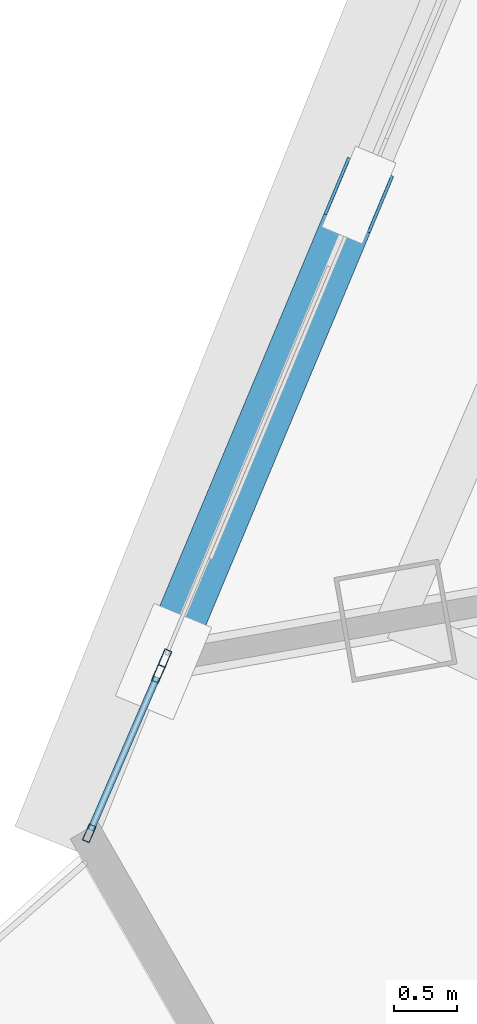
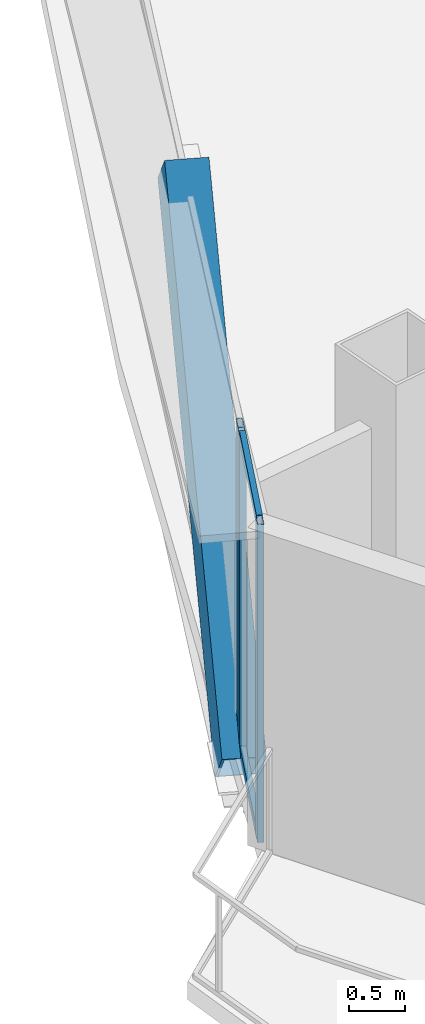
# One storey, part 4 of 37: 6 members, 2 elements without a shape of their own.
"""IFC4 building model written with IfcOpenShell, lengths in metres."""

from ifc_helpers import new_model, si_unit, direction, frame, origin, origin_2d, place, context, subcontext, project, spatial, hollow_rectangle, extrude, source, transform, mapped, material, layer, layer_set, material_profile, profile_set, type_object, element, aggregate, save


model = new_model("IFC4")

# Units and contexts
model_context = context("Model", 3, precision=1e-05, world=origin(), true_north=direction((0.0, 1.0)))
body_context = subcontext(model_context, "Body", "Model", "MODEL_VIEW")
ifc_project = project(units=[si_unit("LENGTHUNIT", "METRE"), si_unit("AREAUNIT", "SQUARE_METRE"), si_unit("VOLUMEUNIT", "CUBIC_METRE"), si_unit("PLANEANGLEUNIT", "RADIAN"), si_unit("MASSUNIT", "GRAM", prefix="KILO"), si_unit("THERMODYNAMICTEMPERATUREUNIT", "KELVIN"), si_unit("POWERUNIT", "WATT")], contexts=[model_context])

# Site, building, storey
site_placement = place(None, origin())
site = spatial("IfcSite", under=ifc_project, at=site_placement, CompositionType="ELEMENT")
building_placement = place(site_placement, origin())
building = spatial("IfcBuilding", under=site, at=building_placement, Name="Yunzhuo Pagoda Commons", CompositionType="ELEMENT")
storey_placement = place(building_placement, frame((0.0, 0.0, 255.719970703125)))
storey = spatial("IfcBuildingStorey", under=building, at=storey_placement, Name="L64", CompositionType="ELEMENT", Elevation=255.719970703125)

# Member
ifc_material_1 = material(Name="Structural steel Q355B", Category="steel")
ifc_material_profile_1 = material_profile(ifc_material_1, hollow_rectangle(XDim=0.39990234375, YDim=0.719970703125, WallThickness=0.02392578125, at=origin_2d()), Name="Structural steel Q355B")
ifc_profile_set_1 = profile_set([ifc_material_profile_1], Name="Structural steel Q355B")
member_type_1 = type_object("IfcMemberType", Name="M-DL2 Brace BOX 720x400x24", PredefinedType="BRACE", material=ifc_profile_set_1)
shared_shape_1 = source(origin(), body_context, "Body", "SweptSolid", [
    extrude(hollow_rectangle(XDim=0.39990234375, YDim=0.719970703125, WallThickness=0.02392578125, at=origin_2d()), origin(), (0.0, 0.0, 1.0), 5.498779296875),
])
member_1_placement = place(storey_placement, frame((14.2138671875, 27.74267578125, -0.260009765625), z_axis=(0.283714437249, 0.677762266761, 0.678339463581), x_axis=(-0.922440988301, 0.386138088126, 0.0)))
element("IfcMember", 1, at=member_1_placement, inside=storey, type_object=member_type_1, Name="L64 facade diamond brace F3.3R", PredefinedType="BRACE", context=body_context, shape_type="MappedRepresentation", body=[
    mapped(shared_shape_1, transform((0.0, 0.0, 0.0), scale=1.0)),
])

# Curtain wall, member
ifc_material_2 = material(Name="Anodized aluminium 6063-T6", Category="aluminium")
ifc_layer = layer(ifc_material_2, 0.139892578125)
ifc_layer_set = layer_set([ifc_layer], Name="Anodized aluminium 6063-T6")
curtain_wall_type = type_object("IfcCurtainWallType", Name="CW-HI High-Zone Ribbon Curtain Wall", PredefinedType="NOTDEFINED", material=ifc_layer_set)
curtain_wall_1_placement = place(storey_placement, origin())
curtain_wall_1 = element("IfcCurtainWall", 2, at=curtain_wall_1_placement, inside=storey, type_object=curtain_wall_type, Name="L64 curtain wall CW-L64-F3B4", PredefinedType="NOTDEFINED")
ifc_material_profile_2 = material_profile(ifc_material_2, hollow_rectangle(XDim=0.06005859375, YDim=0.139892578125, WallThickness=0.00341796875, at=origin_2d()), Name="Anodized aluminium 6063-T6")
ifc_profile_set_2 = profile_set([ifc_material_profile_2], Name="Anodized aluminium 6063-T6")
member_type_2 = type_object("IfcMemberType", Name="CW-HI-M Mullion RHS 140x60x3.5", PredefinedType="MULLION", material=ifc_profile_set_2)
shared_shape_2 = source(origin(), body_context, "Body", "SweptSolid", [
    extrude(hollow_rectangle(XDim=0.06005859375, YDim=0.139892578125, WallThickness=0.00341796875, at=origin_2d()), origin(), (0.0, 0.0, 1.0), 3.469970703125),
])
member_2_placement = place(storey_placement, frame((14.2255859375, 27.770263671875, 0.0), z_axis=(0.0, 0.0, 1.0), x_axis=(0.922450521644, -0.38611531324, 0.0)))
member_2 = element("IfcMember", 3, at=member_2_placement, type_object=member_type_2, Name="CW mullion 2", PredefinedType="MULLION", context=body_context, shape_type="MappedRepresentation", body=[
    mapped(shared_shape_2, transform((0.0, 0.0, 0.0), scale=1.0)),
])
aggregate(curtain_wall_1, [member_2])

# Curtain wall, members
curtain_wall_2_placement = place(storey_placement, origin())
curtain_wall_2 = element("IfcCurtainWall", 4, at=curtain_wall_2_placement, inside=storey, type_object=curtain_wall_type, Name="L64 curtain wall CW-L64-F3B5", PredefinedType="NOTDEFINED")
member_3_placement = place(storey_placement, frame((14.172119140625, 27.646240234375, 0.0), z_axis=(0.0, 0.0, 1.0), x_axis=(0.917707471295, -0.397256840254, 0.0)))
member_3 = element("IfcMember", 5, at=member_3_placement, type_object=member_type_2, Name="CW mullion 1", PredefinedType="MULLION", context=body_context, shape_type="MappedRepresentation", body=[
    mapped(shared_shape_2, transform((0.0, 0.0, 0.0), scale=1.0)),
])
member_4_placement = place(storey_placement, frame((13.620361328125, 26.37158203125, 0.0), z_axis=(0.0, 0.0, 1.0), x_axis=(0.917707471295, -0.397256840254, 0.0)))
member_4 = element("IfcMember", 6, at=member_4_placement, type_object=member_type_2, Name="CW mullion 2", PredefinedType="MULLION", context=body_context, shape_type="MappedRepresentation", body=[
    mapped(shared_shape_2, transform((0.0, 0.0, 0.0), scale=1.0)),
])
ifc_material_profile_3 = material_profile(ifc_material_2, hollow_rectangle(XDim=0.054931640625, YDim=0.1201171875, WallThickness=0.00341796875, at=origin_2d()), Name="Anodized aluminium 6063-T6")
ifc_profile_set_3 = profile_set([ifc_material_profile_3], Name="Anodized aluminium 6063-T6")
member_type_3 = type_object("IfcMemberType", Name="CW-HI-T Transom RHS 120x55x3.5", PredefinedType="USERDEFINED", material=ifc_profile_set_3)
shared_shape_3 = source(origin(), body_context, "Body", "SweptSolid", [
    extrude(hollow_rectangle(XDim=0.054931640625, YDim=0.1201171875, WallThickness=0.00341796875, at=origin_2d()), origin(), (0.0, 0.0, 1.0), 1.328857421875),
])
member_5_placement = place(storey_placement, frame((14.16015625, 27.61865234375, 0.027587890625), z_axis=(-0.39722069625, -0.917723116452, 0.0), x_axis=(0.917723116452, -0.39722069625, 0.0)))
member_5 = element("IfcMember", 7, at=member_5_placement, type_object=member_type_3, Name="CW transom 1.1", ObjectType="TRANSOM", PredefinedType="USERDEFINED", context=body_context, shape_type="MappedRepresentation", body=[
    mapped(shared_shape_3, transform((0.0, 0.0, 0.0), scale=1.0)),
])
member_6_placement = place(storey_placement, frame((14.16015625, 27.61865234375, 3.442626953125), z_axis=(-0.39722069625, -0.917723116452, 0.0), x_axis=(0.917723116452, -0.39722069625, 0.0)))
member_6 = element("IfcMember", 8, at=member_6_placement, type_object=member_type_3, Name="CW transom 1.2", ObjectType="TRANSOM", PredefinedType="USERDEFINED", context=body_context, shape_type="MappedRepresentation", body=[
    mapped(shared_shape_3, transform((0.0, 0.0, 0.0), scale=1.0)),
])
aggregate(curtain_wall_2, [member_3, member_4, member_5, member_6])

save(model, "model.ifc")
